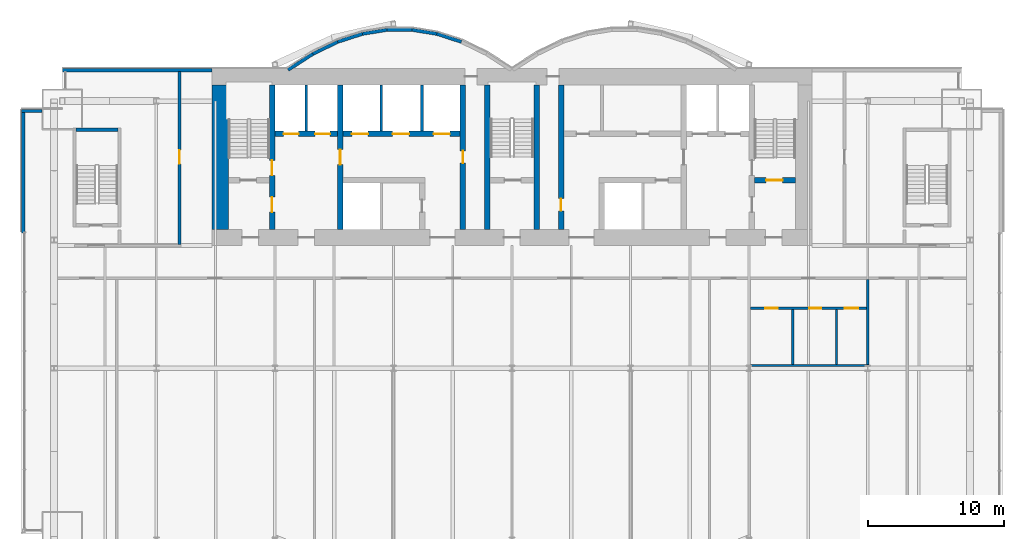
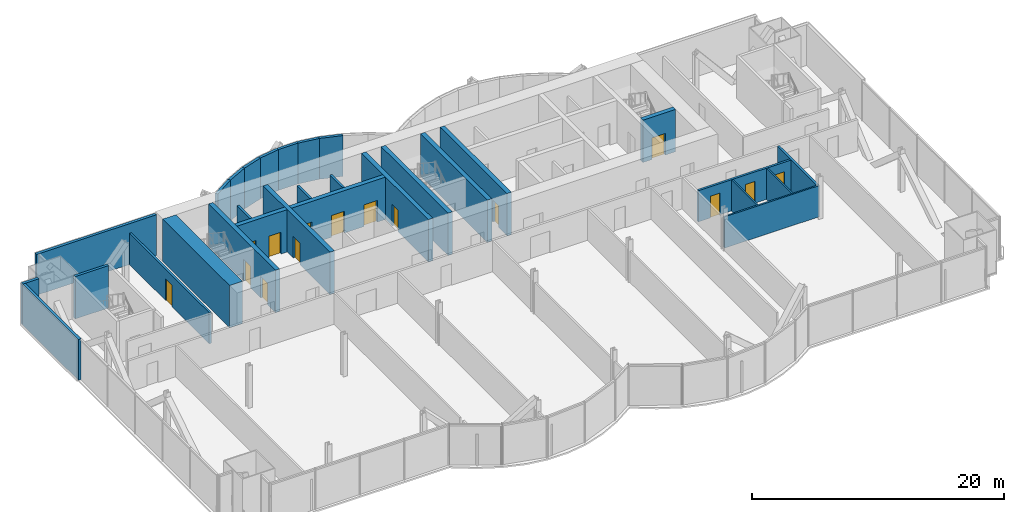
# One storey, part 16 of 21: 29 walls, 15 doors, 15 openings.
"""IFC4 building model written with IfcOpenShell, lengths in metres."""

from ifc_helpers import new_model, si_unit, direction, frame, frame_2d, origin, place, context, subcontext, project, spatial, rectangle, extrude, material, layer, layer_set, layer_usage, type_object, element, fill, save


model = new_model("IFC4")

# Units and contexts
model_context = context("Model", 3, precision=1e-05, world=origin(), true_north=direction((0.0, 1.0)))
body_context = subcontext(model_context, "Body", "Model", "MODEL_VIEW")
ifc_project = project(units=[si_unit("LENGTHUNIT", "METRE"), si_unit("AREAUNIT", "SQUARE_METRE"), si_unit("VOLUMEUNIT", "CUBIC_METRE"), si_unit("PLANEANGLEUNIT", "RADIAN"), si_unit("MASSUNIT", "GRAM", prefix="KILO")], contexts=[model_context])

# Site, building, storey
site_placement = place(None, origin())
site = spatial("IfcSite", under=ifc_project, at=site_placement, CompositionType="ELEMENT")
building_placement = place(site_placement, origin())
building = spatial("IfcBuilding", under=site, at=building_placement, Name="Bicima Exchange Tower", CompositionType="ELEMENT")
storey_placement = place(building_placement, frame((0.0, 0.0, 122.699951171875)))
storey = spatial("IfcBuildingStorey", under=building, at=storey_placement, Name="L26", CompositionType="ELEMENT", Elevation=122.699951171875)

# Walls
ifc_material_1 = material(Name="Gypsum board partition")
ifc_layer_1 = layer(ifc_material_1, 0.199951171875)
ifc_layer_set_1 = layer_set([ifc_layer_1], Name="Gypsum board partition")
wall_type_1 = type_object("IfcWallType", Name="Fire-rated gypsum partition 200 EI120", PredefinedType="PARTITIONING", material=ifc_layer_set_1)
for number, where, z_axis, x_axis, name in (
    (1, (-15.10009765625, -4.60009765625, 0.0), (0.0, 0.0, 1.0), (0.0, 1.0, 0.0), "partition wall 9"),
    (2, (-9.60009765625, -4.60009765625, 0.0), (0.0, 0.0, 1.0), (0.0, 1.0, 0.0), "partition wall 12"),
    (3, (-6.60009765625, -4.60009765625, 0.0), (0.0, 0.0, 1.0), (0.0, 1.0, 0.0), "partition wall 14"),
):
    element("IfcWall", number, at=place(storey_placement, frame(where, z_axis=z_axis, x_axis=x_axis)), inside=storey, type_object=wall_type_1, Name=name, PredefinedType="PARTITIONING", context=body_context, shape_type="SweptSolid", body=[
        extrude(rectangle(XDim=3.400146484375, YDim=0.199951171875, at=frame_2d((1.7001953125, 0.0))), origin(), (0.0, 0.0, 1.0), 3.018310546875),
    ])

# Wall, openings, doors
ifc_layer_2 = layer(ifc_material_1, 0.199951171875)
ifc_layer_set_2 = layer_set([ifc_layer_2], Name="Gypsum board partition")
wall_type_2 = type_object("IfcWallType", Name="Fire-rated gypsum partition 200 EI60", PredefinedType="PARTITIONING", material=ifc_layer_set_2)
wall_1_placement = place(storey_placement, frame((17.5, -17.60009765625, 0.0), z_axis=(0.0, 0.0, 1.0), x_axis=(1.0, 0.0, 0.0)))
wall_1 = element("IfcWall", 4, at=wall_1_placement, inside=storey, type_object=wall_type_2, Name="partition wall 2", PredefinedType="PARTITIONING", context=body_context, shape_type="SweptSolid", body=[
    extrude(rectangle(XDim=8.5, YDim=0.199951171875, at=frame_2d((4.25, 0.0))), origin(), (0.0, 0.0, 1.0), 3.018310546875),
])
opening_1_placement = place(wall_1_placement, frame((1.10009765625, 0.0, 0.0)))
opening_1 = element("IfcOpeningElement", 5, at=opening_1_placement, cuts=wall_1, Name="Opening L26-015", PredefinedType="OPENING", context=body_context, shape_type="SweptSolid", body=[
    extrude(rectangle(XDim=0.89990234375, YDim=2.10009765625, at=frame_2d((0.449951171875, 1.050048828125))), frame((0.0, 0.11181640625, 0.0), z_axis=(0.0, -1.0, 0.0), x_axis=(1.0, 0.0, 0.0)), (0.0, 0.0, 1.0), 0.223876953125),
])
opening_2_placement = place(wall_1_placement, frame((4.300048828125, 0.0, 0.0)))
opening_2 = element("IfcOpeningElement", 6, at=opening_2_placement, cuts=wall_1, Name="Opening L26-016", PredefinedType="OPENING", context=body_context, shape_type="SweptSolid", body=[
    extrude(rectangle(XDim=0.89990234375, YDim=2.10009765625, at=frame_2d((0.449951171875, 1.050048828125))), frame((0.0, 0.11181640625, 0.0), z_axis=(0.0, -1.0, 0.0), x_axis=(1.0, 0.0, 0.0)), (0.0, 0.0, 1.0), 0.223876953125),
])
opening_3_placement = place(wall_1_placement, frame((6.89990234375, 0.0, 0.0)))
opening_3 = element("IfcOpeningElement", 7, at=opening_3_placement, cuts=wall_1, Name="Opening L26-017", PredefinedType="OPENING", context=body_context, shape_type="SweptSolid", body=[
    extrude(rectangle(XDim=1.0, YDim=2.10009765625, at=frame_2d((0.5, 1.050048828125))), frame((0.0, 0.11181640625, 0.0), z_axis=(0.0, -1.0, 0.0), x_axis=(1.0, 0.0, 0.0)), (0.0, 0.0, 1.0), 0.223876953125),
])
ifc_material_2 = material(Name="Steel fire door leaf", Category="steel")
door_type_1 = type_object("IfcDoorType", Name="Door 1000 swing FD30S", OperationType="SINGLE_SWING_LEFT", PredefinedType="DOOR", material=ifc_material_2)
door_1_placement = place(opening_3_placement, frame((1.0, 0.0, 0.0), z_axis=(0.0, 0.0, 1.0), x_axis=(-1.0, 0.0, 0.0)))
door_1 = element("IfcDoor", 8, at=door_1_placement, inside=storey, type_object=door_type_1, Name="Door", OperationType="SINGLE_SWING_RIGHT", OverallHeight=2.10009765625, OverallWidth=1.0, PredefinedType="DOOR", context=body_context, shape_type="SweptSolid", body=[
    extrude(rectangle(XDim=1.0, YDim=2.10009765625, at=frame_2d((0.5, 1.050048828125))), frame((0.0, 0.02490234375, 0.0), z_axis=(0.0, -1.0, 0.0), x_axis=(1.0, 0.0, 0.0)), (0.0, 0.0, 1.0), 0.050048828125),
])
fill(opening_3, door_1)
door_type_2 = type_object("IfcDoorType", Name="Door 900 swing FD30S", OperationType="SINGLE_SWING_LEFT", PredefinedType="DOOR", material=ifc_material_2)
door_2_placement = place(opening_1_placement, frame((0.89990234375, 0.0, 0.0), z_axis=(0.0, 0.0, 1.0), x_axis=(-1.0, 0.0, 0.0)))
door_2 = element("IfcDoor", 9, at=door_2_placement, inside=storey, type_object=door_type_2, Name="Door", OperationType="SINGLE_SWING_RIGHT", OverallHeight=2.10009765625, OverallWidth=0.89990234375, PredefinedType="DOOR", context=body_context, shape_type="SweptSolid", body=[
    extrude(rectangle(XDim=0.89990234375, YDim=2.10009765625, at=frame_2d((0.449951171875, 1.050048828125))), frame((0.0, 0.02490234375, 0.0), z_axis=(0.0, -1.0, 0.0), x_axis=(1.0, 0.0, 0.0)), (0.0, 0.0, 1.0), 0.050048828125),
])
fill(opening_1, door_2)
door_3_placement = place(opening_2_placement, frame((0.89990234375, 0.0, 0.0), z_axis=(0.0, 0.0, 1.0), x_axis=(-1.0, 0.0, 0.0)))
door_3 = element("IfcDoor", 10, at=door_3_placement, inside=storey, type_object=door_type_2, Name="Door", OperationType="SINGLE_SWING_LEFT", OverallHeight=2.10009765625, OverallWidth=0.89990234375, PredefinedType="DOOR", context=body_context, shape_type="SweptSolid", body=[
    extrude(rectangle(XDim=0.89990234375, YDim=2.10009765625, at=frame_2d((0.449951171875, 1.050048828125))), frame((0.0, 0.02490234375, 0.0), z_axis=(0.0, -1.0, 0.0), x_axis=(1.0, 0.0, 0.0)), (0.0, 0.0, 1.0), 0.050048828125),
])
fill(opening_2, door_3)

# Wall, opening, door
wall_2_placement = place(storey_placement, frame((-24.39990234375, -12.89990234375, 0.0), z_axis=(0.0, 0.0, 1.0), x_axis=(0.0, 1.0, 0.0)))
wall_2 = element("IfcWall", 11, at=wall_2_placement, inside=storey, type_object=wall_type_2, Name="partition wall 15", PredefinedType="PARTITIONING", context=body_context, shape_type="SweptSolid", body=[
    extrude(rectangle(XDim=12.68994140625, YDim=0.199951171875, at=frame_2d((6.344970703125, 0.0))), origin(), (0.0, 0.0, 1.0), 3.018310546875),
])
opening_4_placement = place(wall_2_placement, frame((5.89990234375, 0.0, 0.0)))
opening_4 = element("IfcOpeningElement", 12, at=opening_4_placement, cuts=wall_2, Name="Opening L26-005", PredefinedType="OPENING", context=body_context, shape_type="SweptSolid", body=[
    extrude(rectangle(XDim=1.0, YDim=2.10009765625, at=frame_2d((0.5, 1.050048828125))), frame((0.0, 0.11181640625, 0.0), z_axis=(0.0, -1.0, 0.0), x_axis=(1.0, 0.0, 0.0)), (0.0, 0.0, 1.0), 0.223876953125),
])
door_4_placement = place(opening_4_placement, origin())
door_4 = element("IfcDoor", 13, at=door_4_placement, inside=storey, type_object=door_type_1, Name="Door", OperationType="SINGLE_SWING_LEFT", OverallHeight=2.10009765625, OverallWidth=1.0, PredefinedType="DOOR", context=body_context, shape_type="SweptSolid", body=[
    extrude(rectangle(XDim=1.0, YDim=2.10009765625, at=frame_2d((0.5, 1.050048828125))), frame((0.0, 0.02490234375, 0.0), z_axis=(0.0, -1.0, 0.0), x_axis=(1.0, 0.0, 0.0)), (0.0, 0.0, 1.0), 0.050048828125),
])
fill(opening_4, door_4)

# Walls
wall_3_placement = place(storey_placement, frame((26.10009765625, -21.72509765625, 0.0), z_axis=(0.0, 0.0, 1.0), x_axis=(0.0, 1.0, 0.0)))
element("IfcWall", 14, at=wall_3_placement, inside=storey, type_object=wall_type_2, Name="partition wall 28", PredefinedType="PARTITIONING", context=body_context, shape_type="SweptSolid", body=[
    extrude(rectangle(XDim=6.22509765625, YDim=0.199951171875, at=frame_2d((3.112548828125, 0.0))), origin(), (0.0, 0.0, 1.0), 3.018310546875),
])
ifc_layer_3 = layer(ifc_material_1, 0.14990234375)
ifc_layer_set_3 = layer_set([ifc_layer_3], Name="Gypsum board partition")
wall_type_3 = type_object("IfcWallType", Name="Gypsum partition 150", PredefinedType="PARTITIONING", material=ifc_layer_set_3)
wall_4_placement = place(storey_placement, frame((17.5, -21.800048828125, 0.0), z_axis=(0.0, 0.0, 1.0), x_axis=(1.0, 0.0, 0.0)))
element("IfcWall", 15, at=wall_4_placement, inside=storey, type_object=wall_type_3, Name="partition wall 1", PredefinedType="PARTITIONING", context=body_context, shape_type="SweptSolid", body=[
    extrude(rectangle(XDim=8.699951171875, YDim=0.14990234375, at=frame_2d((4.35009765625, 0.0))), origin(), (0.0, 0.0, 1.0), 3.018310546875),
])
for number, where, z_axis, x_axis, name in (
    (16, (20.60009765625, -21.72509765625, 0.0), (0.0, 0.0, 1.0), (0.0, 1.0, 0.0), "partition wall 25"),
    (17, (23.800048828125, -21.72509765625, 0.0), (0.0, 0.0, 1.0), (0.0, 1.0, 0.0), "partition wall 26"),
):
    element("IfcWall", number, at=place(storey_placement, frame(where, z_axis=z_axis, x_axis=x_axis)), inside=storey, type_object=wall_type_3, Name=name, PredefinedType="PARTITIONING", context=body_context, shape_type="SweptSolid", body=[
        extrude(rectangle(XDim=4.025146484375, YDim=0.14990234375, at=frame_2d((2.0126953125, 0.0))), origin(), (0.0, 0.0, 1.0), 3.018310546875),
    ])
ifc_material_3 = material(Name="Concrete C60/75", Category="concrete")
ifc_layer_4 = layer(ifc_material_3, 1.199951171875)
ifc_layer_set_4 = layer_set([ifc_layer_4], Name="Concrete C60/75")
wall_type_4 = type_object("IfcWallType", Name="RC core wall 1200 C60/75", PredefinedType="SHEAR", material=ifc_layer_set_4)
wall_5_placement = place(storey_placement, frame((-21.39990234375, -11.800048828125, 0.0), z_axis=(0.0, 0.0, 1.0), x_axis=(0.0, 1.0, 0.0)))
element("IfcWall", 18, at=wall_5_placement, inside=storey, type_object=wall_type_4, Name="Core wall west", PredefinedType="SHEAR", context=body_context, shape_type="SweptSolid", body=[
    extrude(rectangle(XDim=10.60009765625, YDim=1.199951171875, at=frame_2d((5.300048828125, 0.0))), origin(), (0.0, 0.0, 1.0), 4.10009765625),
])

# Wall, opening, door
ifc_material_4 = material(Name="Concrete C50/60", Category="concrete")
ifc_layer_5 = layer(ifc_material_4, 0.39990234375)
ifc_layer_set_5 = layer_set([ifc_layer_5], Name="Concrete C50/60")
wall_type_5 = type_object("IfcWallType", Name="RC core wall 400 C50/60", PredefinedType="SHEAR", material=ifc_layer_set_5)
wall_6_placement = place(storey_placement, frame((17.800048828125, -8.199951171875, 0.0), z_axis=(0.0, 0.0, 1.0), x_axis=(1.0, 0.0, 0.0)))
wall_6 = element("IfcWall", 19, at=wall_6_placement, inside=storey, type_object=wall_type_5, Name="stair wall 5", PredefinedType="SHEAR", context=body_context, shape_type="SweptSolid", body=[
    extrude(rectangle(XDim=3.0, YDim=0.39990234375, at=frame_2d((1.5, 0.0))), origin(), (0.0, 0.0, 1.0), 4.10009765625),
])
opening_5_placement = place(wall_6_placement, frame((0.85009765625, 0.0, 0.0)))
opening_5 = element("IfcOpeningElement", 20, at=opening_5_placement, cuts=wall_6, Name="Opening L26-C04", PredefinedType="OPENING", context=body_context, shape_type="SweptSolid", body=[
    extrude(rectangle(XDim=1.199951171875, YDim=2.10009765625, at=frame_2d((0.60009765625, 1.050048828125))), frame((0.0, 0.2119140625, 0.0), z_axis=(0.0, -1.0, 0.0), x_axis=(1.0, 0.0, 0.0)), (0.0, 0.0, 1.0), 0.423828125),
])
door_type_3 = type_object("IfcDoorType", Name="Door 1200 swing FD60S", OperationType="SINGLE_SWING_LEFT", PredefinedType="DOOR", material=ifc_material_2)
door_5_placement = place(opening_5_placement, origin())
door_5 = element("IfcDoor", 21, at=door_5_placement, inside=storey, type_object=door_type_3, Name="Core door", OperationType="SINGLE_SWING_RIGHT", OverallHeight=2.10009765625, OverallWidth=1.199951171875, PredefinedType="DOOR", context=body_context, shape_type="SweptSolid", body=[
    extrude(rectangle(XDim=1.199951171875, YDim=2.10009765625, at=frame_2d((0.60009765625, 1.050048828125))), frame((0.0, 0.02490234375, 0.0), z_axis=(0.0, -1.0, 0.0), x_axis=(1.0, 0.0, 0.0)), (0.0, 0.0, 1.0), 0.050048828125),
])
fill(opening_5, door_5)

# Wall, openings, doors
wall_7_placement = place(storey_placement, frame((-17.60009765625, -11.800048828125, 0.0), z_axis=(0.0, 0.0, 1.0), x_axis=(0.0, 1.0, 0.0)))
wall_7 = element("IfcWall", 22, at=wall_7_placement, inside=storey, type_object=wall_type_5, Name="stair wall 8", PredefinedType="SHEAR", context=body_context, shape_type="SweptSolid", body=[
    extrude(rectangle(XDim=10.60009765625, YDim=0.39990234375, at=frame_2d((5.300048828125, 0.0))), origin(), (0.0, 0.0, 1.0), 4.10009765625),
])
opening_6_placement = place(wall_7_placement, frame((1.25, 0.0, 0.0)))
opening_6 = element("IfcOpeningElement", 23, at=opening_6_placement, cuts=wall_7, Name="Opening L26-C02", PredefinedType="OPENING", context=body_context, shape_type="SweptSolid", body=[
    extrude(rectangle(XDim=1.10009765625, YDim=2.10009765625, at=frame_2d((0.550048828125, 1.050048828125))), frame((0.0, 0.2119140625, 0.0), z_axis=(0.0, -1.0, 0.0), x_axis=(1.0, 0.0, 0.0)), (0.0, 0.0, 1.0), 0.423828125),
])
opening_7_placement = place(wall_7_placement, frame((3.949951171875, 0.0, 0.0)))
opening_7 = element("IfcOpeningElement", 24, at=opening_7_placement, cuts=wall_7, Name="Opening L26-C06", PredefinedType="OPENING", context=body_context, shape_type="SweptSolid", body=[
    extrude(rectangle(XDim=1.10009765625, YDim=2.10009765625, at=frame_2d((0.550048828125, 1.050048828125))), frame((0.0, 0.2119140625, 0.0), z_axis=(0.0, -1.0, 0.0), x_axis=(1.0, 0.0, 0.0)), (0.0, 0.0, 1.0), 0.423828125),
])
door_type_4 = type_object("IfcDoorType", Name="Door 1100 swing FD60S", OperationType="SINGLE_SWING_LEFT", PredefinedType="DOOR", material=ifc_material_2)
door_6_placement = place(opening_6_placement, frame((1.10009765625, 0.0, 0.0), z_axis=(0.0, 0.0, 1.0), x_axis=(-1.0, 0.0, 0.0)))
door_6 = element("IfcDoor", 25, at=door_6_placement, inside=storey, type_object=door_type_4, Name="Core door", OperationType="SINGLE_SWING_LEFT", OverallHeight=2.10009765625, OverallWidth=1.10009765625, PredefinedType="DOOR", context=body_context, shape_type="SweptSolid", body=[
    extrude(rectangle(XDim=1.10009765625, YDim=2.10009765625, at=frame_2d((0.550048828125, 1.050048828125))), frame((0.0, 0.02490234375, 0.0), z_axis=(0.0, -1.0, 0.0), x_axis=(1.0, 0.0, 0.0)), (0.0, 0.0, 1.0), 0.050048828125),
])
fill(opening_6, door_6)
door_7_placement = place(opening_7_placement, frame((1.10009765625, 0.0, 0.0), z_axis=(0.0, 0.0, 1.0), x_axis=(-1.0, 0.0, 0.0)))
door_7 = element("IfcDoor", 26, at=door_7_placement, inside=storey, type_object=door_type_4, Name="Core door", OperationType="SINGLE_SWING_LEFT", OverallHeight=2.10009765625, OverallWidth=1.10009765625, PredefinedType="DOOR", context=body_context, shape_type="SweptSolid", body=[
    extrude(rectangle(XDim=1.10009765625, YDim=2.10009765625, at=frame_2d((0.550048828125, 1.050048828125))), frame((0.0, 0.02490234375, 0.0), z_axis=(0.0, -1.0, 0.0), x_axis=(1.0, 0.0, 0.0)), (0.0, 0.0, 1.0), 0.050048828125),
])
fill(opening_7, door_7)

# Walls
for number, where, z_axis, x_axis, name in (
    (27, (-1.800048828125, -11.800048828125, 0.0), (0.0, 0.0, 1.0), (0.0, 1.0, 0.0), "stair wall 16"),
    (28, (1.800048828125, -11.800048828125, 0.0), (0.0, 0.0, 1.0), (0.0, 1.0, 0.0), "stair wall 17"),
):
    element("IfcWall", number, at=place(storey_placement, frame(where, z_axis=z_axis, x_axis=x_axis)), inside=storey, type_object=wall_type_5, Name=name, PredefinedType="SHEAR", context=body_context, shape_type="SweptSolid", body=[
        extrude(rectangle(XDim=10.60009765625, YDim=0.39990234375, at=frame_2d((5.300048828125, 0.0))), origin(), (0.0, 0.0, 1.0), 4.10009765625),
    ])

# Wall, openings, doors
ifc_layer_6 = layer(ifc_material_3, 0.39990234375)
ifc_layer_set_6 = layer_set([ifc_layer_6], Name="Concrete C60/75")
wall_type_6 = type_object("IfcWallType", Name="RC core wall 400 C60/75", PredefinedType="SHEAR", material=ifc_layer_set_6)
wall_8_placement = place(storey_placement, frame((-17.39990234375, -4.800048828125, 0.0), z_axis=(0.0, 0.0, 1.0), x_axis=(1.0, 0.0, 0.0)))
wall_8 = element("IfcWall", 29, at=wall_8_placement, inside=storey, type_object=wall_type_6, Name="shear wall 6", PredefinedType="SHEAR", context=body_context, shape_type="SweptSolid", body=[
    extrude(rectangle(XDim=13.599853515625, YDim=0.39990234375, at=frame_2d((6.7998046875, 0.0))), origin(), (0.0, 0.0, 1.0), 4.10009765625),
])
opening_8_placement = place(wall_8_placement, frame((0.64990234375, 0.0, 0.0)))
opening_8 = element("IfcOpeningElement", 30, at=opening_8_placement, cuts=wall_8, Name="Opening LD-FF1-L26", PredefinedType="OPENING", context=body_context, shape_type="SweptSolid", body=[
    extrude(rectangle(XDim=1.10009765625, YDim=2.10009765625, at=frame_2d((0.550048828125, 1.050048828125))), frame((0.0, 0.2119140625, 0.0), z_axis=(0.0, -1.0, 0.0), x_axis=(1.0, 0.0, 0.0)), (0.0, 0.0, 1.0), 0.423828125),
])
opening_9_placement = place(wall_8_placement, frame((2.949951171875, 0.0, 0.0)))
opening_9 = element("IfcOpeningElement", 31, at=opening_9_placement, cuts=wall_8, Name="Opening LD-FF3-L26", PredefinedType="OPENING", context=body_context, shape_type="SweptSolid", body=[
    extrude(rectangle(XDim=1.10009765625, YDim=2.10009765625, at=frame_2d((0.550048828125, 1.050048828125))), frame((0.0, 0.2119140625, 0.0), z_axis=(0.0, -1.0, 0.0), x_axis=(1.0, 0.0, 0.0)), (0.0, 0.0, 1.0), 0.423828125),
])
opening_10_placement = place(wall_8_placement, frame((5.64990234375, 0.0, 0.0)))
opening_10 = element("IfcOpeningElement", 32, at=opening_10_placement, cuts=wall_8, Name="Opening LD-LB1-L26", PredefinedType="OPENING", context=body_context, shape_type="SweptSolid", body=[
    extrude(rectangle(XDim=1.199951171875, YDim=2.10009765625, at=frame_2d((0.60009765625, 1.050048828125))), frame((0.0, 0.2119140625, 0.0), z_axis=(0.0, -1.0, 0.0), x_axis=(1.0, 0.0, 0.0)), (0.0, 0.0, 1.0), 0.423828125),
])
opening_11_placement = place(wall_8_placement, frame((8.64990234375, 0.0, 0.0)))
opening_11 = element("IfcOpeningElement", 33, at=opening_11_placement, cuts=wall_8, Name="Opening LD-LB2-L26", PredefinedType="OPENING", context=body_context, shape_type="SweptSolid", body=[
    extrude(rectangle(XDim=1.199951171875, YDim=2.10009765625, at=frame_2d((0.60009765625, 1.050048828125))), frame((0.0, 0.2119140625, 0.0), z_axis=(0.0, -1.0, 0.0), x_axis=(1.0, 0.0, 0.0)), (0.0, 0.0, 1.0), 0.423828125),
])
opening_12_placement = place(wall_8_placement, frame((11.64990234375, 0.0, 0.0)))
opening_12 = element("IfcOpeningElement", 34, at=opening_12_placement, cuts=wall_8, Name="Opening LD-LB3-L26", PredefinedType="OPENING", context=body_context, shape_type="SweptSolid", body=[
    extrude(rectangle(XDim=1.199951171875, YDim=2.10009765625, at=frame_2d((0.60009765625, 1.050048828125))), frame((0.0, 0.2119140625, 0.0), z_axis=(0.0, -1.0, 0.0), x_axis=(1.0, 0.0, 0.0)), (0.0, 0.0, 1.0), 0.423828125),
])
ifc_material_5 = material(Name="Stainless steel", Category="steel")
door_type_5 = type_object("IfcDoorType", Name="Lift landing door 1100 sliding", OperationType="DOUBLE_DOOR_SLIDING", PredefinedType="DOOR", material=ifc_material_5)
door_8_placement = place(opening_8_placement, origin())
door_8 = element("IfcDoor", 35, at=door_8_placement, inside=storey, type_object=door_type_5, Name="Lift landing door FF1", OperationType="DOUBLE_DOOR_SLIDING", OverallHeight=2.10009765625, OverallWidth=1.10009765625, PredefinedType="DOOR", context=body_context, shape_type="SweptSolid", body=[
    extrude(rectangle(XDim=1.10009765625, YDim=2.10009765625, at=frame_2d((0.550048828125, 1.050048828125))), frame((0.0, 0.02490234375, 0.0), z_axis=(0.0, -1.0, 0.0), x_axis=(1.0, 0.0, 0.0)), (0.0, 0.0, 1.0), 0.050048828125),
])
fill(opening_8, door_8)
door_9_placement = place(opening_9_placement, origin())
door_9 = element("IfcDoor", 36, at=door_9_placement, inside=storey, type_object=door_type_5, Name="Lift landing door FF3", OperationType="DOUBLE_DOOR_SLIDING", OverallHeight=2.10009765625, OverallWidth=1.10009765625, PredefinedType="DOOR", context=body_context, shape_type="SweptSolid", body=[
    extrude(rectangle(XDim=1.10009765625, YDim=2.10009765625, at=frame_2d((0.550048828125, 1.050048828125))), frame((0.0, 0.02490234375, 0.0), z_axis=(0.0, -1.0, 0.0), x_axis=(1.0, 0.0, 0.0)), (0.0, 0.0, 1.0), 0.050048828125),
])
fill(opening_9, door_9)
door_type_6 = type_object("IfcDoorType", Name="Lift landing door 1200 sliding", OperationType="DOUBLE_DOOR_SLIDING", PredefinedType="DOOR", material=ifc_material_5)
door_10_placement = place(opening_10_placement, origin())
door_10 = element("IfcDoor", 37, at=door_10_placement, inside=storey, type_object=door_type_6, Name="Lift landing door LB1", OperationType="DOUBLE_DOOR_SLIDING", OverallHeight=2.10009765625, OverallWidth=1.199951171875, PredefinedType="DOOR", context=body_context, shape_type="SweptSolid", body=[
    extrude(rectangle(XDim=1.199951171875, YDim=2.10009765625, at=frame_2d((0.60009765625, 1.050048828125))), frame((0.0, 0.02490234375, 0.0), z_axis=(0.0, -1.0, 0.0), x_axis=(1.0, 0.0, 0.0)), (0.0, 0.0, 1.0), 0.050048828125),
])
fill(opening_10, door_10)
door_11_placement = place(opening_11_placement, origin())
door_11 = element("IfcDoor", 38, at=door_11_placement, inside=storey, type_object=door_type_6, Name="Lift landing door LB2", OperationType="DOUBLE_DOOR_SLIDING", OverallHeight=2.10009765625, OverallWidth=1.199951171875, PredefinedType="DOOR", context=body_context, shape_type="SweptSolid", body=[
    extrude(rectangle(XDim=1.199951171875, YDim=2.10009765625, at=frame_2d((0.60009765625, 1.050048828125))), frame((0.0, 0.02490234375, 0.0), z_axis=(0.0, -1.0, 0.0), x_axis=(1.0, 0.0, 0.0)), (0.0, 0.0, 1.0), 0.050048828125),
])
fill(opening_11, door_11)
door_12_placement = place(opening_12_placement, origin())
door_12 = element("IfcDoor", 39, at=door_12_placement, inside=storey, type_object=door_type_6, Name="Lift landing door LB3", OperationType="DOUBLE_DOOR_SLIDING", OverallHeight=2.10009765625, OverallWidth=1.199951171875, PredefinedType="DOOR", context=body_context, shape_type="SweptSolid", body=[
    extrude(rectangle(XDim=1.199951171875, YDim=2.10009765625, at=frame_2d((0.60009765625, 1.050048828125))), frame((0.0, 0.02490234375, 0.0), z_axis=(0.0, -1.0, 0.0), x_axis=(1.0, 0.0, 0.0)), (0.0, 0.0, 1.0), 0.050048828125),
])
fill(opening_12, door_12)

# Wall, opening, door
wall_9_placement = place(storey_placement, frame((-12.60009765625, -11.800048828125, 0.0), z_axis=(0.0, 0.0, 1.0), x_axis=(0.0, 1.0, 0.0)))
wall_9 = element("IfcWall", 40, at=wall_9_placement, inside=storey, type_object=wall_type_6, Name="shear wall 10", PredefinedType="SHEAR", context=body_context, shape_type="SweptSolid", body=[
    extrude(rectangle(XDim=10.60009765625, YDim=0.39990234375, at=frame_2d((5.300048828125, 0.0))), origin(), (0.0, 0.0, 1.0), 4.10009765625),
])
opening_13_placement = place(wall_9_placement, frame((4.75, 0.0, 0.0)))
opening_13 = element("IfcOpeningElement", 41, at=opening_13_placement, cuts=wall_9, Name="Opening L26-C07", PredefinedType="OPENING", context=body_context, shape_type="SweptSolid", body=[
    extrude(rectangle(XDim=1.10009765625, YDim=2.10009765625, at=frame_2d((0.550048828125, 1.050048828125))), frame((0.0, 0.2119140625, 0.0), z_axis=(0.0, -1.0, 0.0), x_axis=(1.0, 0.0, 0.0)), (0.0, 0.0, 1.0), 0.423828125),
])
door_13_placement = place(opening_13_placement, origin())
door_13 = element("IfcDoor", 42, at=door_13_placement, inside=storey, type_object=door_type_4, Name="Core door", OperationType="SINGLE_SWING_LEFT", OverallHeight=2.10009765625, OverallWidth=1.10009765625, PredefinedType="DOOR", context=body_context, shape_type="SweptSolid", body=[
    extrude(rectangle(XDim=1.10009765625, YDim=2.10009765625, at=frame_2d((0.550048828125, 1.050048828125))), frame((0.0, 0.02490234375, 0.0), z_axis=(0.0, -1.0, 0.0), x_axis=(1.0, 0.0, 0.0)), (0.0, 0.0, 1.0), 0.050048828125),
])
fill(opening_13, door_13)

wall_10_placement = place(storey_placement, frame((-3.60009765625, -11.800048828125, 0.0), z_axis=(0.0, 0.0, 1.0), x_axis=(0.0, 1.0, 0.0)))
wall_10 = element("IfcWall", 43, at=wall_10_placement, inside=storey, type_object=wall_type_6, Name="shear wall 15", PredefinedType="SHEAR", context=body_context, shape_type="SweptSolid", body=[
    extrude(rectangle(XDim=10.60009765625, YDim=0.39990234375, at=frame_2d((5.300048828125, 0.0))), origin(), (0.0, 0.0, 1.0), 4.10009765625),
])
opening_14_placement = place(wall_10_placement, frame((4.85009765625, 0.0, 0.0)))
opening_14 = element("IfcOpeningElement", 44, at=opening_14_placement, cuts=wall_10, Name="Opening L26-C10", PredefinedType="OPENING", context=body_context, shape_type="SweptSolid", body=[
    extrude(rectangle(XDim=0.89990234375, YDim=2.10009765625, at=frame_2d((0.449951171875, 1.050048828125))), frame((0.0, 0.2119140625, 0.0), z_axis=(0.0, -1.0, 0.0), x_axis=(1.0, 0.0, 0.0)), (0.0, 0.0, 1.0), 0.423828125),
])
door_14_placement = place(opening_14_placement, frame((0.89990234375, 0.0, 0.0), z_axis=(0.0, 0.0, 1.0), x_axis=(-1.0, 0.0, 0.0)))
door_14 = element("IfcDoor", 45, at=door_14_placement, inside=storey, type_object=door_type_2, Name="Core door", OperationType="SINGLE_SWING_LEFT", OverallHeight=2.10009765625, OverallWidth=0.89990234375, PredefinedType="DOOR", context=body_context, shape_type="SweptSolid", body=[
    extrude(rectangle(XDim=0.89990234375, YDim=2.10009765625, at=frame_2d((0.449951171875, 1.050048828125))), frame((0.0, 0.02490234375, 0.0), z_axis=(0.0, -1.0, 0.0), x_axis=(1.0, 0.0, 0.0)), (0.0, 0.0, 1.0), 0.050048828125),
])
fill(opening_14, door_14)

wall_11_placement = place(storey_placement, frame((3.60009765625, -11.800048828125, 0.0), z_axis=(0.0, 0.0, 1.0), x_axis=(0.0, 1.0, 0.0)))
wall_11 = element("IfcWall", 46, at=wall_11_placement, inside=storey, type_object=wall_type_6, Name="shear wall 18", PredefinedType="SHEAR", context=body_context, shape_type="SweptSolid", body=[
    extrude(rectangle(XDim=10.60009765625, YDim=0.39990234375, at=frame_2d((5.300048828125, 0.0))), origin(), (0.0, 0.0, 1.0), 4.10009765625),
])
opening_15_placement = place(wall_11_placement, frame((1.35009765625, 0.0, 0.0)))
opening_15 = element("IfcOpeningElement", 47, at=opening_15_placement, cuts=wall_11, Name="Opening L26-C11", PredefinedType="OPENING", context=body_context, shape_type="SweptSolid", body=[
    extrude(rectangle(XDim=0.89990234375, YDim=2.10009765625, at=frame_2d((0.449951171875, 1.050048828125))), frame((0.0, 0.2119140625, 0.0), z_axis=(0.0, -1.0, 0.0), x_axis=(1.0, 0.0, 0.0)), (0.0, 0.0, 1.0), 0.423828125),
])
door_15_placement = place(opening_15_placement, origin())
door_15 = element("IfcDoor", 48, at=door_15_placement, inside=storey, type_object=door_type_2, Name="Core door", OperationType="SINGLE_SWING_LEFT", OverallHeight=2.10009765625, OverallWidth=0.89990234375, PredefinedType="DOOR", context=body_context, shape_type="SweptSolid", body=[
    extrude(rectangle(XDim=0.89990234375, YDim=2.10009765625, at=frame_2d((0.449951171875, 1.050048828125))), frame((0.0, 0.02490234375, 0.0), z_axis=(0.0, -1.0, 0.0), x_axis=(1.0, 0.0, 0.0)), (0.0, 0.0, 1.0), 0.050048828125),
])
fill(opening_15, door_15)

# Walls
ifc_layer_7 = layer(ifc_material_4, 0.25)
ifc_layer_set_7 = layer_set([ifc_layer_7], Name="Concrete C50/60")
wall_type_7 = type_object("IfcWallType", Name="RC stair enclosure wall 250 C50/60", PredefinedType="SHEAR", material=ifc_layer_set_7)
wall_12_placement = place(storey_placement, frame((-31.97509765625, -4.5, 0.0), z_axis=(0.0, 0.0, 1.0), x_axis=(1.0, 0.0, 0.0)))
element("IfcWall", 49, at=wall_12_placement, inside=storey, type_object=wall_type_7, Name="West end exit stair wall N", PredefinedType="SHEAR", context=body_context, shape_type="SweptSolid", body=[
    extrude(rectangle(XDim=3.050048828125, YDim=0.25, at=frame_2d((1.52490234375, 0.0))), origin(), (0.0, 0.0, 1.0), 4.10009765625),
])
ifc_material_6 = material(Name="Concrete C40/50", Category="concrete")
ifc_layer_8 = layer(ifc_material_6, 0.25)
ifc_layer_set_8 = layer_set([ifc_layer_8], Name="Concrete C40/50")
ifc_layer_usage = layer_usage(ifc_layer_set_8, "AXIS2", "POSITIVE", -0.125)
wall_type_8 = type_object("IfcWallType", Name="Rear backup wall 250", PredefinedType="STANDARD", material=ifc_layer_set_8)
wall_13_placement = place(storey_placement, frame((-3.705078125, 1.955078125, 0.0), z_axis=(0.0, 0.0, 1.0), x_axis=(-0.951495806175, 0.307661714928, 0.0)))
element("IfcWall", 50, at=wall_13_placement, inside=storey, type_object=wall_type_8, material=ifc_layer_usage, Name="Rear backup wall L26 13", PredefinedType="STANDARD", context=body_context, shape_type="SweptSolid", body=[
    extrude(rectangle(XDim=1.9267578125, YDim=0.25, at=frame_2d((0.96337890625, 0.0))), origin(), (0.0, 0.0, 1.0), 3.949951171875),
])
wall_14_placement = place(storey_placement, frame((-5.52001953125, 2.543212890625, 0.0), z_axis=(0.0, 0.0, 1.0), x_axis=(-0.987181718931, 0.159600293885, 0.0)))
element("IfcWall", 51, at=wall_14_placement, inside=storey, type_object=wall_type_8, material=ifc_layer_usage, Name="Rear backup wall L26 14", PredefinedType="STANDARD", context=body_context, shape_type="SweptSolid", body=[
    extrude(rectangle(XDim=1.857177734375, YDim=0.25, at=frame_2d((0.9287109375, 0.0))), origin(), (0.0, 0.0, 1.0), 3.949951171875),
])
wall_15_placement = place(storey_placement, frame((-7.333251953125, 2.837890625, 0.0), z_axis=(0.0, 0.0, 1.0), x_axis=(-1.0, 0.0, 0.0)))
element("IfcWall", 52, at=wall_15_placement, inside=storey, type_object=wall_type_8, material=ifc_layer_usage, Name="Rear backup wall L26 15", PredefinedType="STANDARD", context=body_context, shape_type="SweptSolid", body=[
    extrude(rectangle(XDim=1.83349609375, YDim=0.25, at=frame_2d((0.916748046875, 0.0))), origin(), (0.0, 0.0, 1.0), 3.949951171875),
])
wall_16_placement = place(storey_placement, frame((-9.146728515625, 2.839599609375, 0.0), z_axis=(0.0, 0.0, 1.0), x_axis=(-0.987181718931, -0.159600293885, 0.0)))
element("IfcWall", 53, at=wall_16_placement, inside=storey, type_object=wall_type_8, material=ifc_layer_usage, Name="Rear backup wall L26 16", PredefinedType="STANDARD", context=body_context, shape_type="SweptSolid", body=[
    extrude(rectangle(XDim=1.857177734375, YDim=0.25, at=frame_2d((0.9287109375, 0.0))), origin(), (0.0, 0.0, 1.0), 3.949951171875),
])
wall_17_placement = place(storey_placement, frame((-10.961669921875, 2.5478515625, 0.0), z_axis=(0.0, 0.0, 1.0), x_axis=(-0.951495806175, -0.307661714928, 0.0)))
element("IfcWall", 54, at=wall_17_placement, inside=storey, type_object=wall_type_8, material=ifc_layer_usage, Name="Rear backup wall L26 17", PredefinedType="STANDARD", context=body_context, shape_type="SweptSolid", body=[
    extrude(rectangle(XDim=1.9267578125, YDim=0.25, at=frame_2d((0.96337890625, 0.0))), origin(), (0.0, 0.0, 1.0), 3.949951171875),
])
wall_18_placement = place(storey_placement, frame((-12.77880859375, 1.961669921875, 0.0), z_axis=(0.0, 0.0, 1.0), x_axis=(-0.89982408427, -0.436252928206, 0.0)))
element("IfcWall", 55, at=wall_18_placement, inside=storey, type_object=wall_type_8, material=ifc_layer_usage, Name="Rear backup wall L26 18", PredefinedType="STANDARD", context=body_context, shape_type="SweptSolid", body=[
    extrude(rectangle(XDim=2.03759765625, YDim=0.25, at=frame_2d((1.018798828125, 0.0))), origin(), (0.0, 0.0, 1.0), 3.949951171875),
])
wall_19_placement = place(storey_placement, frame((-14.598876953125, 1.080078125, 0.0), z_axis=(0.0, 0.0, 1.0), x_axis=(-0.83981312244, -0.542875602121, 0.0)))
element("IfcWall", 56, at=wall_19_placement, inside=storey, type_object=wall_type_8, material=ifc_layer_usage, Name="Rear backup wall L26 19", PredefinedType="STANDARD", context=body_context, shape_type="SweptSolid", body=[
    extrude(rectangle(XDim=2.182861328125, YDim=0.25, at=frame_2d((1.09130859375, 0.0))), origin(), (0.0, 0.0, 1.0), 3.949951171875),
])
wall_20_placement = place(storey_placement, frame((-22.0, -0.125, 0.0), z_axis=(0.0, 0.0, 1.0), x_axis=(-1.0, 0.0, 0.0)))
element("IfcWall", 57, at=wall_20_placement, inside=storey, type_object=wall_type_8, material=ifc_layer_usage, Name="Rear backup wall L26 20", PredefinedType="STANDARD", context=body_context, shape_type="SweptSolid", body=[
    extrude(rectangle(XDim=11.0, YDim=0.25, at=frame_2d((5.5, 0.0))), origin(), (0.0, 0.0, 1.0), 3.949951171875),
])
wall_21_placement = place(storey_placement, frame((-34.5, -3.125, 0.0), z_axis=(0.0, 0.0, 1.0), x_axis=(-1.0, 0.0, 0.0)))
element("IfcWall", 58, at=wall_21_placement, inside=storey, type_object=wall_type_8, material=ifc_layer_usage, Name="Rear backup wall L26 22", PredefinedType="STANDARD", context=body_context, shape_type="SweptSolid", body=[
    extrude(rectangle(XDim=1.5, YDim=0.25, at=frame_2d((0.75, 0.0))), origin(), (0.0, 0.0, 1.0), 3.949951171875),
])
wall_22_placement = place(storey_placement, frame((-35.875, -3.0, 0.0), z_axis=(0.0, 0.0, 1.0), x_axis=(0.0, -1.0, 0.0)))
element("IfcWall", 59, at=wall_22_placement, inside=storey, type_object=wall_type_8, material=ifc_layer_usage, Name="Rear backup wall L26 23", PredefinedType="STANDARD", context=body_context, shape_type="SweptSolid", body=[
    extrude(rectangle(XDim=9.090087890625, YDim=0.25, at=frame_2d((4.544921875, 0.0))), origin(), (0.0, 0.0, 1.0), 3.949951171875),
])

save(model, "model.ifc")
